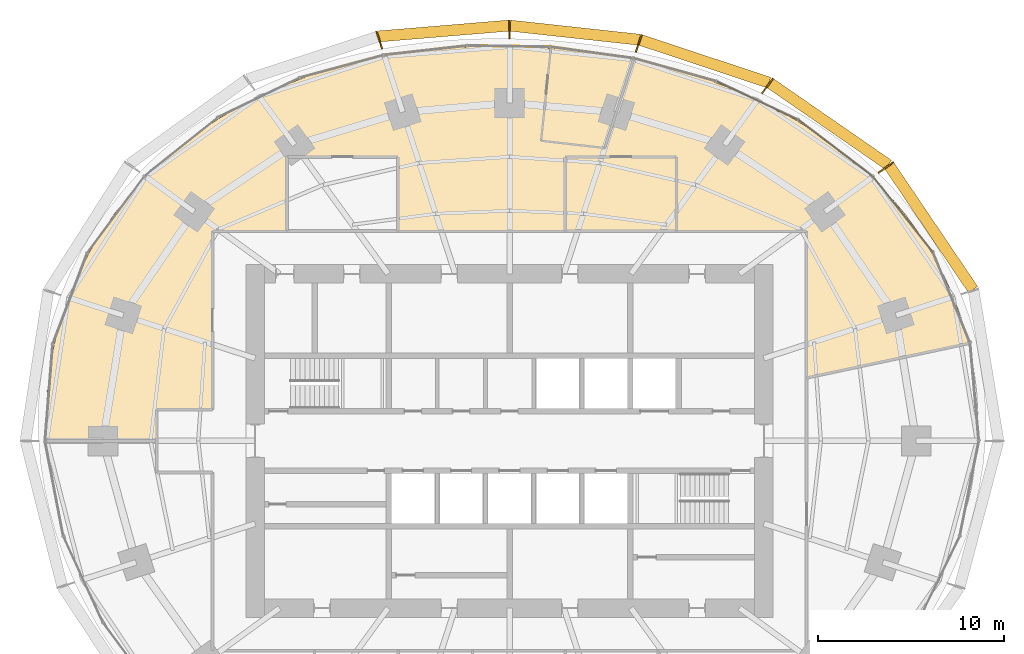
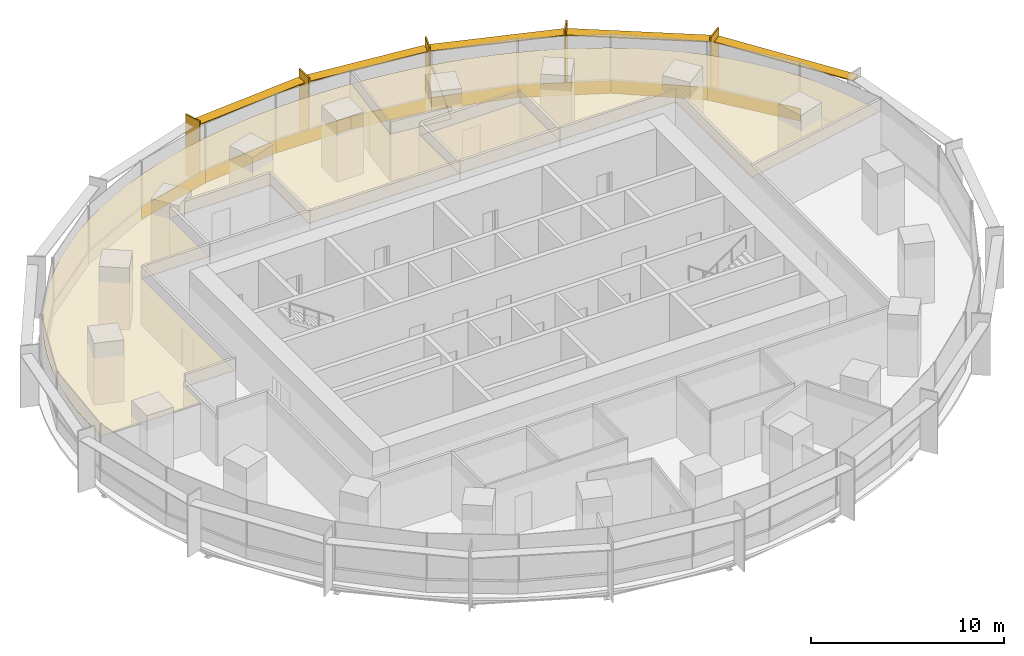
# One storey, part 14 of 14: 11 coverings, 10 shading devices.
"""IFC4 building model written with IfcOpenShell, lengths in metres."""

from ifc_helpers import new_model, si_unit, direction, frame, origin, origin_2d, place, context, subcontext, project, spatial, polyline, rectangle, outline, extrude, material, layer, layer_set, type_object, element, save


model = new_model("IFC4")

# Units and contexts
model_context = context("Model", 3, precision=1e-05, world=origin(), true_north=direction((0.0, 1.0)))
body_context = subcontext(model_context, "Body", "Model", "MODEL_VIEW")
ifc_project = project(units=[si_unit("LENGTHUNIT", "METRE"), si_unit("AREAUNIT", "SQUARE_METRE"), si_unit("VOLUMEUNIT", "CUBIC_METRE"), si_unit("PLANEANGLEUNIT", "RADIAN"), si_unit("MASSUNIT", "GRAM", prefix="KILO")], contexts=[model_context])

# Site, building, storey
site_placement = place(None, origin())
site = spatial("IfcSite", under=ifc_project, at=site_placement, CompositionType="ELEMENT")
building_placement = place(site_placement, origin())
building = spatial("IfcBuilding", under=site, at=building_placement, Name="Marramba Exchange Tower", CompositionType="ELEMENT")
storey_placement = place(building_placement, frame((0.0, 0.0, 111.89990234375)))
storey = spatial("IfcBuildingStorey", under=building, at=storey_placement, Name="L26", CompositionType="ELEMENT", Elevation=111.89990234375)

# Shading devices
ifc_material_1 = material(Name="Aluminium blade, timber-look bronze finish", Category="wood")
ifc_layer_1 = layer(ifc_material_1, 0.080078125)
ifc_layer_set_1 = layer_set([ifc_layer_1], Name="Floor-edge blade 1000x80")
shading_device_type_1 = type_object("IfcShadingDeviceType", Name="Floor-edge blade 1000x80", PredefinedType="USERDEFINED", material=ifc_layer_set_1)
for number, where, z_axis, x_axis, name in (
    (1, (20.27392578125, 14.72998046875, -0.159912109375), (0.0, 0.0, 1.0), (0.809016994375, 0.587785252292, 0.0), "Floor-edge blade FB1 L26 TC03"),
    (2, (13.8955078125, 19.12548828125, -0.159912109375), (0.0, 0.0, 1.0), (0.587785252292, 0.809016994375, 0.0), "Floor-edge blade FB1 L26 TC04"),
    (3, (6.958984375, 21.41748046875, -0.159912109375), (0.0, 0.0, 1.0), (0.309016994375, 0.951056516295, 0.0), "Floor-edge blade FB1 L26 TC05"),
    (4, (0.0, 22.173095703125, -0.159912109375), (0.0, 0.0, 1.0), (0.0, 1.0, 0.0), "Floor-edge blade FB1 L26 TC06"),
    (5, (-7.016845703125, 21.595703125, -0.159912109375), (0.0, 0.0, 1.0), (-0.309016994375, 0.951056516295, 0.0), "Floor-edge blade FB1 L26 TC07"),
):
    element("IfcShadingDevice", number, at=place(storey_placement, frame(where, z_axis=z_axis, x_axis=x_axis)), inside=storey, type_object=shading_device_type_1, Name=name, ObjectType="FIN", PredefinedType="USERDEFINED", context=body_context, shape_type="SweptSolid", body=[
        extrude(rectangle(XDim=1.0, YDim=0.080078125, at=origin_2d()), origin(), (0.0, 0.0, 1.0), 3.89990234375),
    ])
ifc_material_2 = material(Name="Aluminium sunshade, bronze anodised", Category="aluminium")
ifc_layer_2 = layer(ifc_material_2, 0.06005859375)
ifc_layer_set_2 = layer_set([ifc_layer_2], Name="SUNSHADE blade 600x60")
shading_device_type_2 = type_object("IfcShadingDeviceType", Name="SUNSHADE blade 600x60", PredefinedType="USERDEFINED", material=ifc_layer_set_2)
shading_device_1_placement = place(storey_placement, frame((22.712158203125, 11.4833984375, 3.16015625), z_axis=(0.0, 0.0, 1.0), x_axis=(-0.560441804861, 0.828193807852, 0.0)))
element("IfcShadingDevice", 6, at=shading_device_1_placement, inside=storey, type_object=shading_device_type_2, Name="Sunshade SS1 L26 bay 02", ObjectType="SUNSHADE", PredefinedType="USERDEFINED", context=body_context, shape_type="SweptSolid", body=[
    extrude(rectangle(XDim=8.0439453125, YDim=0.60009765625, at=origin_2d()), origin(), (0.0, 0.0, 1.0), 0.06005859375),
])
shading_device_2_placement = place(storey_placement, frame((17.224365234375, 17.0673828125, 3.16015625), z_axis=(0.0, 0.0, 1.0), x_axis=(-0.822589509071, 0.568635647464, 0.0)))
element("IfcShadingDevice", 7, at=shading_device_2_placement, inside=storey, type_object=shading_device_type_2, Name="Sunshade SS1 L26 bay 03", ObjectType="SUNSHADE", PredefinedType="USERDEFINED", context=body_context, shape_type="SweptSolid", body=[
    extrude(rectangle(XDim=7.72802734375, YDim=0.60009765625, at=origin_2d()), origin(), (0.0, 0.0, 1.0), 0.06005859375),
])
shading_device_3_placement = place(storey_placement, frame((10.516845703125, 20.447509765625, 3.16015625), z_axis=(0.0, 0.0, 1.0), x_axis=(-0.949101076178, 0.314971660944, 0.0)))
element("IfcShadingDevice", 8, at=shading_device_3_placement, inside=storey, type_object=shading_device_type_2, Name="Sunshade SS1 L26 bay 04", ObjectType="SUNSHADE", PredefinedType="USERDEFINED", context=body_context, shape_type="SweptSolid", body=[
    extrude(rectangle(XDim=7.287353515625, YDim=0.60009765625, at=origin_2d()), origin(), (0.0, 0.0, 1.0), 0.06005859375),
])
shading_device_4_placement = place(storey_placement, frame((3.510498046875, 21.990478515625, 3.16015625), z_axis=(0.0, 0.0, 1.0), x_axis=(-0.994111392801, 0.108362995081, 0.0)))
element("IfcShadingDevice", 9, at=shading_device_4_placement, inside=storey, type_object=shading_device_type_2, Name="Sunshade SS1 L26 bay 05", ObjectType="SUNSHADE", PredefinedType="USERDEFINED", context=body_context, shape_type="SweptSolid", body=[
    extrude(rectangle(XDim=6.982421875, YDim=0.60009765625, at=origin_2d()), origin(), (0.0, 0.0, 1.0), 0.06005859375),
])
shading_device_5_placement = place(storey_placement, frame((-3.539306640625, 22.07958984375, 3.16015625), z_axis=(0.0, 0.0, 1.0), x_axis=(-0.996577838412, -0.08265961521, 0.0)))
element("IfcShadingDevice", 10, at=shading_device_5_placement, inside=storey, type_object=shading_device_type_2, Name="Sunshade SS1 L26 bay 06", ObjectType="SUNSHADE", PredefinedType="USERDEFINED", context=body_context, shape_type="SweptSolid", body=[
    extrude(rectangle(XDim=7.02294921875, YDim=0.60009765625, at=origin_2d()), origin(), (0.0, 0.0, 1.0), 0.06005859375),
])

# Coverings
ifc_material_3 = material(Name="Aluminium spandrel panel, bronze anodised, insulated", Category="aluminium")
ifc_layer_3 = layer(ifc_material_3, 0.050048828125)
ifc_layer_set_3 = layer_set([ifc_layer_3], Name="Spandrel panel 800")
covering_type_1 = type_object("IfcCoveringType", Name="Spandrel panel 800", PredefinedType="CLADDING", material=ifc_layer_set_3)
covering_1_placement = place(storey_placement, frame((21.20068359375, 12.194091796875, 0.0), z_axis=(0.0, 0.0, 1.0), x_axis=(-0.621311998758, 0.783563271344, 0.0)))
element("IfcCovering", 11, at=covering_1_placement, inside=storey, type_object=covering_type_1, Name="Spandrel panel SP1 L26 F03", PredefinedType="CLADDING", context=body_context, shape_type="SweptSolid", body=[
    extrude(rectangle(XDim=5.197021484375, YDim=0.050048828125, at=origin_2d()), origin(), (0.0, 0.0, 1.0), 0.800048828125),
])
covering_2_placement = place(storey_placement, frame((17.576171875, 15.759033203125, 0.0), z_axis=(0.0, 0.0, 1.0), x_axis=(-0.795971745176, 0.605333776426, 0.0)))
element("IfcCovering", 12, at=covering_2_placement, inside=storey, type_object=covering_type_1, Name="Spandrel panel SP1 L26 F04", PredefinedType="CLADDING", context=body_context, shape_type="SweptSolid", body=[
    extrude(rectangle(XDim=5.05078125, YDim=0.050048828125, at=origin_2d()), origin(), (0.0, 0.0, 1.0), 0.800048828125),
])
covering_3_placement = place(storey_placement, frame((13.371337890625, 18.322998046875, 0.0), z_axis=(0.0, 0.0, 1.0), x_axis=(-0.904403135206, 0.426678999987, 0.0)))
element("IfcCovering", 13, at=covering_3_placement, inside=storey, type_object=covering_type_1, Name="Spandrel panel SP1 L26 F05", PredefinedType="CLADDING", context=body_context, shape_type="SweptSolid", body=[
    extrude(rectangle(XDim=4.853271484375, YDim=0.050048828125, at=origin_2d()), origin(), (0.0, 0.0, 1.0), 0.800048828125),
])
covering_4_placement = place(storey_placement, frame((8.9365234375, 19.98388671875, 0.0), z_axis=(0.0, 0.0, 1.0), x_axis=(-0.963177847397, 0.268865085655, 0.0)))
element("IfcCovering", 14, at=covering_4_placement, inside=storey, type_object=covering_type_1, Name="Spandrel panel SP1 L26 F06", PredefinedType="CLADDING", context=body_context, shape_type="SweptSolid", body=[
    extrude(rectangle(XDim=4.651611328125, YDim=0.050048828125, at=origin_2d()), origin(), (0.0, 0.0, 1.0), 0.800048828125),
])
covering_5_placement = place(storey_placement, frame((4.46337890625, 20.915283203125, 0.0), z_axis=(0.0, 0.0, 1.0), x_axis=(-0.990738214019, 0.135785828725, 0.0)))
element("IfcCovering", 15, at=covering_5_placement, inside=storey, type_object=covering_type_1, Name="Spandrel panel SP1 L26 F07", PredefinedType="CLADDING", context=body_context, shape_type="SweptSolid", body=[
    extrude(rectangle(XDim=4.507568359375, YDim=0.050048828125, at=origin_2d()), origin(), (0.0, 0.0, 1.0), 0.800048828125),
])
covering_6_placement = place(storey_placement, frame((-0.003662109375, 21.25634765625, 0.0), z_axis=(0.0, 0.0, 1.0), x_axis=(-0.999875870008, 0.015755779107, 0.0)))
element("IfcCovering", 16, at=covering_6_placement, inside=storey, type_object=covering_type_1, Name="Spandrel panel SP1 L26 F08", PredefinedType="CLADDING", context=body_context, shape_type="SweptSolid", body=[
    extrude(rectangle(XDim=4.46875, YDim=0.050048828125, at=origin_2d()), origin(), (0.0, 0.0, 1.0), 0.800048828125),
])
covering_7_placement = place(storey_placement, frame((-4.49609375, 21.03955078125, 0.0), z_axis=(0.0, 0.0, 1.0), x_axis=(-0.993823395975, -0.110973229261, 0.0)))
element("IfcCovering", 17, at=covering_7_placement, inside=storey, type_object=covering_type_1, Name="Spandrel panel SP1 L26 F09", PredefinedType="CLADDING", context=body_context, shape_type="SweptSolid", body=[
    extrude(rectangle(XDim=4.54443359375, YDim=0.050048828125, at=origin_2d()), origin(), (0.0, 0.0, 1.0), 0.800048828125),
])
covering_8_placement = place(storey_placement, frame((-9.0244140625, 20.17529296875, 0.0), z_axis=(0.0, 0.0, 1.0), x_axis=(-0.965522049344, -0.26032128655, 0.0)))
element("IfcCovering", 18, at=covering_8_placement, inside=storey, type_object=covering_type_1, Name="Spandrel panel SP1 L26 F10", PredefinedType="CLADDING", context=body_context, shape_type="SweptSolid", body=[
    extrude(rectangle(XDim=4.70263671875, YDim=0.050048828125, at=origin_2d()), origin(), (0.0, 0.0, 1.0), 0.800048828125),
])
ifc_material_4 = material(Name="Mineral fibre ceiling tiles", Category="gypsum")
ifc_layer_4 = layer(ifc_material_4, 0.02001953125)
ifc_layer_set_4 = layer_set([ifc_layer_4], Name="Suspended ceiling 20")
covering_type_2 = type_object("IfcCoveringType", Name="Suspended ceiling 20", PredefinedType="CEILING", material=ifc_layer_set_4)
covering_9_placement = place(storey_placement, frame((0.0, 0.0, 2.900146484375)))
element("IfcCovering", 19, at=covering_9_placement, inside=storey, type_object=covering_type_2, Name="Ceiling CL1 L26 Open Plan Office 2", PredefinedType="CEILING", context=body_context, shape_type="SweptSolid", body=[
    extrude(outline(polyline([(9.0, 11.300048828125), (9.0, 15.300048828125), (3.0, 15.300048828125), (3.0, 11.300048828125), (-6.0, 11.300048828125), (-6.0, 15.300048828125), (-12.0, 15.300048828125), (-12.0, 11.300048828125), (-16.0, 11.300048828125), (-16.0, 1.699951171875), (-19.0, 1.699951171875), (-19.0, 0.0), (-24.93798828125, 0.0), (-24.970947265625, 1.30859375), (-24.913330078125, 2.618408203125), (-24.76416015625, 3.92236328125), (-24.52294921875, 5.21240234375), (-24.1904296875, 6.481689453125), (-23.768798828125, 7.722900390625), (-23.260498046875, 8.928955078125), (-22.669677734375, 10.09326171875), (-22.0009765625, 11.2099609375), (-21.259765625, 12.2744140625), (-20.451904296875, 13.28173828125), (-19.583984375, 14.228759765625), (-18.66259765625, 15.11279296875), (-17.6943359375, 15.93212890625), (-16.685791015625, 16.685791015625), (-15.643798828125, 17.374267578125), (-14.57421875, 17.99755859375), (-13.482666015625, 18.55712890625), (-12.37451171875, 19.05517578125), (-11.2548828125, 19.493896484375), (-10.127197265625, 19.875732421875), (-8.995361328125, 20.203857421875), (-7.862060546875, 20.4814453125), (-6.7294921875, 20.711181640625), (-5.59912109375, 20.896484375), (-4.47216796875, 21.0400390625), (-3.34912109375, 21.14453125), (-2.2294921875, 21.212158203125), (-1.11328125, 21.244384765625), (0.0, 21.2431640625), (1.111572265625, 21.208740234375), (2.22216796875, 21.1416015625), (1.699462890625, 16.169189453125), (5.12646484375, 15.77783203125), (6.671630859375, 20.533203125), (7.787841796875, 20.287841796875), (8.905029296875, 20.0009765625), (10.02197265625, 19.6689453125), (11.13671875, 19.289306640625), (12.24658203125, 18.8583984375), (13.348876953125, 18.373046875), (14.43896484375, 17.830810546875), (15.512451171875, 17.228271484375), (16.563720703125, 16.563720703125), (17.5869140625, 15.835205078125), (18.5751953125, 15.041748046875), (19.521484375, 14.18310546875), (20.4189453125, 13.26025390625), (21.259765625, 12.2744140625), (22.03662109375, 11.228271484375), (22.7421875, 10.12548828125), (23.3701171875, 8.970947265625), (23.9140625, 7.77001953125), (24.368896484375, 6.529541015625), (24.73046875, 5.256591796875), (16.0, 3.40087890625), (16.0, 11.300048828125), (9.0, 11.300048828125)])), origin(), (0.0, 0.0, 1.0), 0.02001953125),
])
covering_10_placement = place(storey_placement, frame((0.0, 0.0, 2.900146484375)))
element("IfcCovering", 20, at=covering_10_placement, inside=storey, type_object=covering_type_2, Name="Ceiling CL1 L26 Office 3", PredefinedType="CEILING", context=body_context, shape_type="SweptSolid", body=[
    extrude(outline(polyline([(3.332763671875, 21.041748046875), (4.444091796875, 20.907958984375), (5.556884765625, 20.739013671875), (6.671630859375, 20.533203125), (5.12646484375, 15.77783203125), (1.699462890625, 16.169189453125), (2.22216796875, 21.1416015625), (3.332763671875, 21.041748046875)])), origin(), (0.0, 0.0, 1.0), 0.02001953125),
])
covering_11_placement = place(storey_placement, frame((0.0, 0.0, 2.900146484375)))
element("IfcCovering", 21, at=covering_11_placement, inside=storey, type_object=covering_type_2, Name="Ceiling CL1 L26 Meeting Room 1", PredefinedType="CEILING", context=body_context, shape_type="SweptSolid", body=[
    extrude(outline(polyline([(9.0, 11.300048828125), (3.0, 11.300048828125), (3.0, 15.300048828125), (9.0, 15.300048828125), (9.0, 11.300048828125)])), origin(), (0.0, 0.0, 1.0), 0.02001953125),
])

save(model, "model.ifc")
